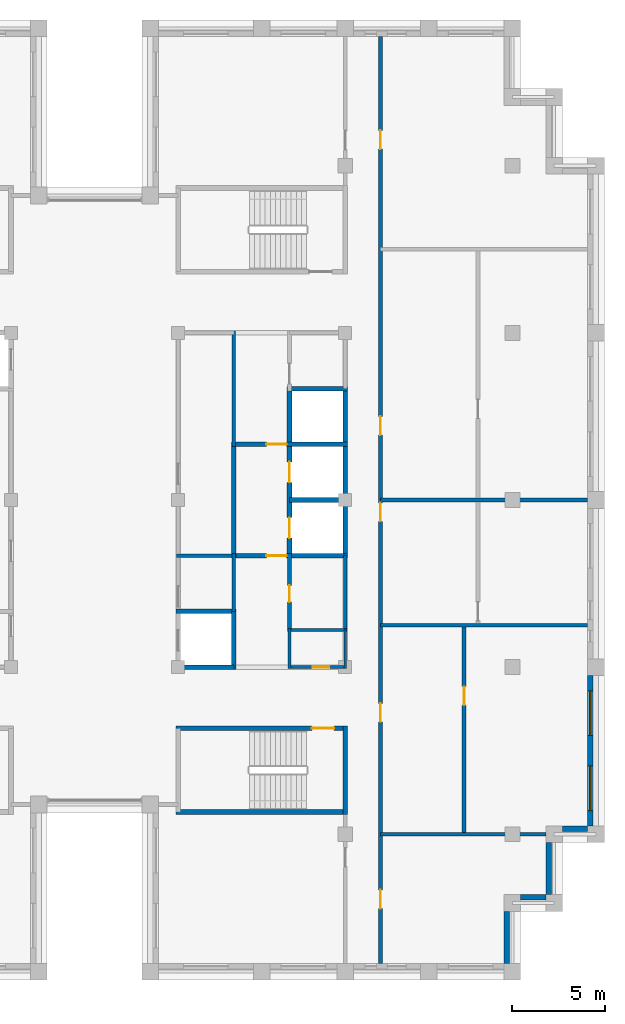
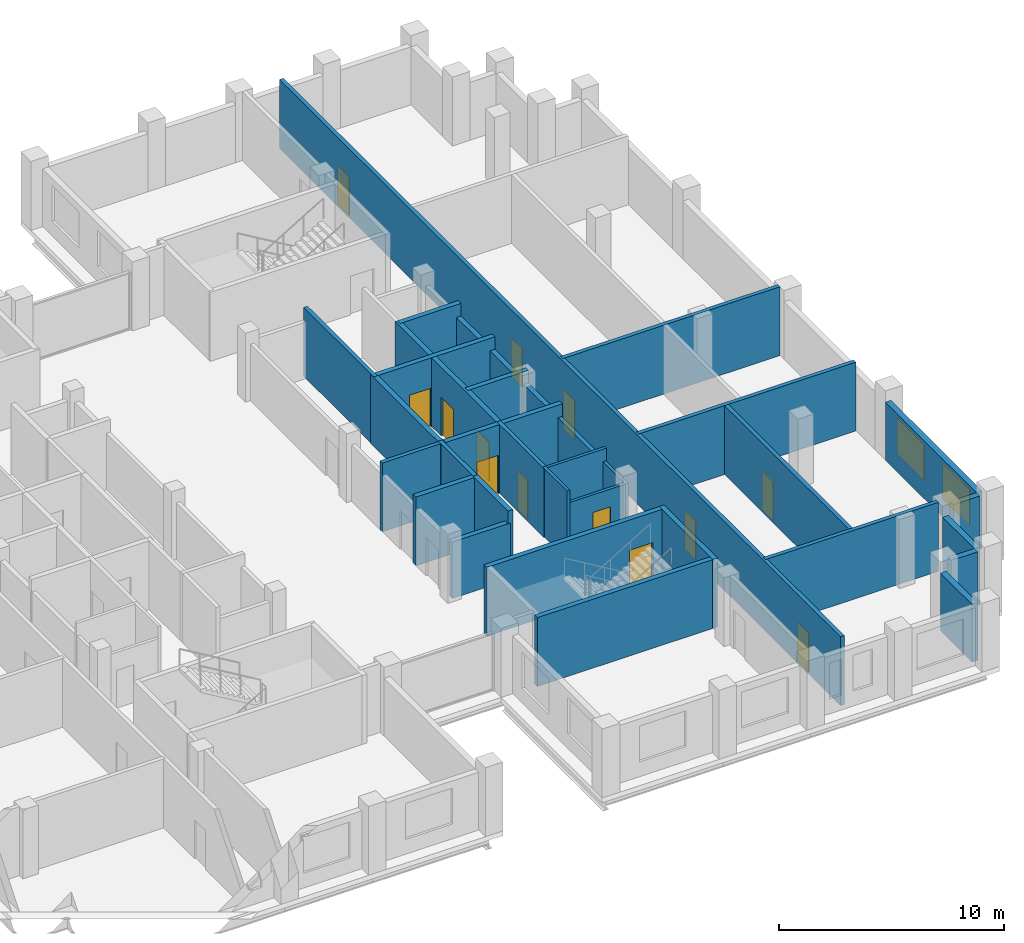
# One storey, part 8 of 13: 32 walls, 13 doors, 2 windows, 15 openings.
"""IFC4 building model written with IfcOpenShell, lengths in metres."""

from ifc_helpers import new_model, si_unit, direction, frame, frame_2d, origin, place, context, subcontext, project, spatial, rectangle, extrude, material, layer, layer_set, type_object, element, fill, save


model = new_model("IFC4")

# Units and contexts
model_context = context("Model", 3, precision=1e-05, world=origin(), true_north=direction((0.0, 1.0)))
body_context = subcontext(model_context, "Body", "Model", "MODEL_VIEW")
ifc_project = project(units=[si_unit("LENGTHUNIT", "METRE"), si_unit("AREAUNIT", "SQUARE_METRE"), si_unit("VOLUMEUNIT", "CUBIC_METRE"), si_unit("PLANEANGLEUNIT", "RADIAN"), si_unit("MASSUNIT", "GRAM", prefix="KILO")], contexts=[model_context])

# Site, building, storey
site_placement = place(None, origin())
site = spatial("IfcSite", under=ifc_project, at=site_placement, CompositionType="ELEMENT")
building_placement = place(site_placement, origin())
building = spatial("IfcBuilding", under=site, at=building_placement, Name="Corbelhall Arena Tower", CompositionType="ELEMENT")
storey_placement = place(building_placement, frame((0.0, 0.0, 334.0)))
storey = spatial("IfcBuildingStorey", under=building, at=storey_placement, Name="L73", CompositionType="ELEMENT", Elevation=334.0)

# Walls
ifc_material_1 = material(Name="Precast concrete C40/50 with granite facing", Category="masonry")
ifc_layer_1 = layer(ifc_material_1, 0.300048828125)
ifc_layer_set_1 = layer_set([ifc_layer_1], Name="EV-IW1 Infill panel 300")
wall_type_1 = type_object("IfcWallType", Name="EV-IW1 Infill panel 300", PredefinedType="SOLIDWALL", material=ifc_layer_set_1)
wall_1_placement = place(storey_placement, frame((22.199951171875, -24.949951171875, 0.0), z_axis=(0.0, 0.0, 1.0), x_axis=(0.0, 1.0, 0.0)))
element("IfcWall", 1, at=wall_1_placement, inside=storey, type_object=wall_type_1, Name="Infill panel IW1", PredefinedType="SOLIDWALL", context=body_context, shape_type="SweptSolid", body=[
    extrude(rectangle(XDim=2.800048828125, YDim=0.300048828125, at=frame_2d((1.39990234375, 0.0))), origin(), (0.0, 0.0, 1.0), 3.139892578125),
])
wall_2_placement = place(storey_placement, frame((22.949951171875, -21.39990234375, 0.0), z_axis=(0.0, 0.0, 1.0), x_axis=(1.0, 0.0, 0.0)))
element("IfcWall", 2, at=wall_2_placement, inside=storey, type_object=wall_type_1, Name="Infill panel IW1", PredefinedType="SOLIDWALL", context=body_context, shape_type="SweptSolid", body=[
    extrude(rectangle(XDim=1.35009765625, YDim=0.300048828125, at=frame_2d((0.675048828125, 0.0))), origin(), (0.0, 0.0, 1.0), 3.139892578125),
])
wall_3_placement = place(storey_placement, frame((24.449951171875, -21.25, 0.0), z_axis=(0.0, 0.0, 1.0), x_axis=(0.0, 1.0, 0.0)))
element("IfcWall", 3, at=wall_3_placement, inside=storey, type_object=wall_type_1, Name="Infill panel IW1", PredefinedType="SOLIDWALL", context=body_context, shape_type="SweptSolid", body=[
    extrude(rectangle(XDim=2.800048828125, YDim=0.300048828125, at=frame_2d((1.39990234375, 0.0))), origin(), (0.0, 0.0, 1.0), 3.139892578125),
])
wall_4_placement = place(storey_placement, frame((25.199951171875, -17.699951171875, 0.0), z_axis=(0.0, 0.0, 1.0), x_axis=(1.0, 0.0, 0.0)))
element("IfcWall", 4, at=wall_4_placement, inside=storey, type_object=wall_type_1, Name="Infill panel IW1", PredefinedType="SOLIDWALL", context=body_context, shape_type="SweptSolid", body=[
    extrude(rectangle(XDim=1.35009765625, YDim=0.300048828125, at=frame_2d((0.675048828125, 0.0))), origin(), (0.0, 0.0, 1.0), 3.139892578125),
])

# Wall, openings, windows
wall_5_placement = place(storey_placement, frame((26.699951171875, -17.550048828125, 0.0), z_axis=(0.0, 0.0, 1.0), x_axis=(0.0, 1.0, 0.0)))
wall_5 = element("IfcWall", 5, at=wall_5_placement, inside=storey, type_object=wall_type_1, Name="Infill panel IW1", PredefinedType="SOLIDWALL", context=body_context, shape_type="SweptSolid", body=[
    extrude(rectangle(XDim=8.10009765625, YDim=0.300048828125, at=frame_2d((4.050048828125, 0.0))), origin(), (0.0, 0.0, 1.0), 3.139892578125),
])
opening_1_placement = place(wall_5_placement, frame((0.824951171875, 0.0, 0.800048828125)))
opening_1 = element("IfcOpeningElement", 6, at=opening_1_placement, cuts=wall_5, Name="Opening WN1", PredefinedType="OPENING", context=body_context, shape_type="SweptSolid", body=[
    extrude(rectangle(XDim=2.39990234375, YDim=1.949951171875, at=frame_2d((1.199951171875, 0.97509765625))), frame((0.0, 0.14990234375, 0.0), z_axis=(0.0, -1.0, 0.0), x_axis=(1.0, 0.0, 0.0)), (0.0, 0.0, 1.0), 0.300048828125),
])
opening_2_placement = place(wall_5_placement, frame((4.875, 0.0, 0.800048828125)))
opening_2 = element("IfcOpeningElement", 7, at=opening_2_placement, cuts=wall_5, Name="Opening WN1", PredefinedType="OPENING", context=body_context, shape_type="SweptSolid", body=[
    extrude(rectangle(XDim=2.39990234375, YDim=1.949951171875, at=frame_2d((1.199951171875, 0.97509765625))), frame((0.0, 0.14990234375, 0.0), z_axis=(0.0, -1.0, 0.0), x_axis=(1.0, 0.0, 0.0)), (0.0, 0.0, 1.0), 0.300048828125),
])
ifc_material_2 = material(Name="Aluminium black anodised", Category="aluminium")
window_type = type_object("IfcWindowType", Name="EV-WN1 Office window", PartitioningType="SINGLE_PANEL", PredefinedType="WINDOW", material=ifc_material_2)
window_1_placement = place(opening_1_placement, origin())
window_1 = element("IfcWindow", 8, at=window_1_placement, inside=storey, type_object=window_type, Name="Window WN1", OverallHeight=1.949951171875, OverallWidth=2.39990234375, PartitioningType="SINGLE_PANEL", PredefinedType="WINDOW", context=body_context, shape_type="SweptSolid", body=[
    extrude(rectangle(XDim=2.39990234375, YDim=1.949951171875, at=frame_2d((1.199951171875, 0.97509765625))), frame((0.0, 0.030029296875, 0.0), z_axis=(0.0, -1.0, 0.0), x_axis=(1.0, 0.0, 0.0)), (0.0, 0.0, 1.0), 0.06005859375),
])
fill(opening_1, window_1)
window_2_placement = place(opening_2_placement, origin())
window_2 = element("IfcWindow", 9, at=window_2_placement, inside=storey, type_object=window_type, Name="Window WN1", OverallHeight=1.949951171875, OverallWidth=2.39990234375, PartitioningType="SINGLE_PANEL", PredefinedType="WINDOW", context=body_context, shape_type="SweptSolid", body=[
    extrude(rectangle(XDim=2.39990234375, YDim=1.949951171875, at=frame_2d((1.199951171875, 0.97509765625))), frame((0.0, 0.030029296875, 0.0), z_axis=(0.0, -1.0, 0.0), x_axis=(1.0, 0.0, 0.0)), (0.0, 0.0, 1.0), 0.06005859375),
])
fill(opening_2, window_2)

# Wall
ifc_material_3 = material(Name="Gypsum board on steel stud, acoustic", Category="steel")
ifc_layer_2 = layer(ifc_material_3, 0.199951171875)
ifc_layer_set_2 = layer_set([ifc_layer_2], Name="IN-W-DM200")
wall_type_2 = type_object("IfcWallType", Name="IN-W-DM200", PredefinedType="PARTITIONING", material=ifc_layer_set_2)
wall_6_placement = place(storey_placement, frame((15.39990234375, -18.0, 0.0), z_axis=(0.0, 0.0, 1.0), x_axis=(1.0, 0.0, 0.0)))
element("IfcWall", 10, at=wall_6_placement, inside=storey, type_object=wall_type_2, Name="Partition 020", PredefinedType="PARTITIONING", context=body_context, shape_type="SweptSolid", body=[
    extrude(rectangle(XDim=8.900146484375, YDim=0.199951171875, at=frame_2d((4.4501953125, 0.0))), origin(), (0.0, 0.0, 1.0), 3.739990234375),
])

# Wall, openings, doors
wall_7_placement = place(storey_placement, frame((15.39990234375, 24.949951171875, 0.0), z_axis=(0.0, 0.0, 1.0), x_axis=(0.0, -1.0, 0.0)))
wall_7 = element("IfcWall", 11, at=wall_7_placement, inside=storey, type_object=wall_type_2, Name="Partition 021", PredefinedType="PARTITIONING", context=body_context, shape_type="SweptSolid", body=[
    extrude(rectangle(XDim=49.89990234375, YDim=0.199951171875, at=frame_2d((24.949951171875, 0.0))), origin(), (0.0, 0.0, 1.0), 3.739990234375),
])
opening_3_placement = place(wall_7_placement, frame((20.449951171875, 0.0, 0.0)))
opening_3 = element("IfcOpeningElement", 12, at=opening_3_placement, cuts=wall_7, Name="Opening 23029", PredefinedType="OPENING", context=body_context, shape_type="SweptSolid", body=[
    extrude(rectangle(XDim=1.0, YDim=2.10009765625, at=frame_2d((0.5, 1.050048828125))), frame((0.0, 0.10009765625, 0.0), z_axis=(0.0, -1.0, 0.0), x_axis=(1.0, 0.0, 0.0)), (0.0, 0.0, 1.0), 0.199951171875),
])
opening_4_placement = place(wall_7_placement, frame((5.050048828125, 0.0, 0.0)))
opening_4 = element("IfcOpeningElement", 13, at=opening_4_placement, cuts=wall_7, Name="Opening 23031", PredefinedType="OPENING", context=body_context, shape_type="SweptSolid", body=[
    extrude(rectangle(XDim=1.0, YDim=2.10009765625, at=frame_2d((0.5, 1.050048828125))), frame((0.0, 0.10009765625, 0.0), z_axis=(0.0, -1.0, 0.0), x_axis=(1.0, 0.0, 0.0)), (0.0, 0.0, 1.0), 0.199951171875),
])
opening_5_placement = place(wall_7_placement, frame((45.949951171875, 0.0, 0.0)))
opening_5 = element("IfcOpeningElement", 14, at=opening_5_placement, cuts=wall_7, Name="Opening 23032", PredefinedType="OPENING", context=body_context, shape_type="SweptSolid", body=[
    extrude(rectangle(XDim=1.0, YDim=2.10009765625, at=frame_2d((0.5, 1.050048828125))), frame((0.0, 0.10009765625, 0.0), z_axis=(0.0, -1.0, 0.0), x_axis=(1.0, 0.0, 0.0)), (0.0, 0.0, 1.0), 0.199951171875),
])
opening_6_placement = place(wall_7_placement, frame((35.89990234375, 0.0, 0.0)))
opening_6 = element("IfcOpeningElement", 15, at=opening_6_placement, cuts=wall_7, Name="Opening 23033", PredefinedType="OPENING", context=body_context, shape_type="SweptSolid", body=[
    extrude(rectangle(XDim=1.0, YDim=2.10009765625, at=frame_2d((0.5, 1.050048828125))), frame((0.0, 0.10009765625, 0.0), z_axis=(0.0, -1.0, 0.0), x_axis=(1.0, 0.0, 0.0)), (0.0, 0.0, 1.0), 0.199951171875),
])
opening_7_placement = place(wall_7_placement, frame((25.10009765625, 0.0, 0.0)))
opening_7 = element("IfcOpeningElement", 16, at=opening_7_placement, cuts=wall_7, Name="Opening 23335", PredefinedType="OPENING", context=body_context, shape_type="SweptSolid", body=[
    extrude(rectangle(XDim=1.0, YDim=2.10009765625, at=frame_2d((0.5, 1.050048828125))), frame((0.0, 0.10009765625, 0.0), z_axis=(0.0, -1.0, 0.0), x_axis=(1.0, 0.0, 0.0)), (0.0, 0.0, 1.0), 0.199951171875),
])
ifc_material_4 = material(Name="Steel door set", Category="steel")
door_type_1 = type_object("IfcDoorType", Name="IN-D-SW100", OperationType="NOTDEFINED", PredefinedType="DOOR", material=ifc_material_4)
door_1_placement = place(opening_3_placement, origin())
door_1 = element("IfcDoor", 17, at=door_1_placement, inside=storey, type_object=door_type_1, Name="Door 029", OperationType="SINGLE_SWING_RIGHT", OverallHeight=2.10009765625, OverallWidth=1.0, PredefinedType="DOOR", context=body_context, shape_type="SweptSolid", body=[
    extrude(rectangle(XDim=1.0, YDim=2.10009765625, at=frame_2d((0.5, 1.050048828125))), frame((0.0, 0.02490234375, 0.0), z_axis=(0.0, -1.0, 0.0), x_axis=(1.0, 0.0, 0.0)), (0.0, 0.0, 1.0), 0.050048828125),
])
fill(opening_3, door_1)
door_2_placement = place(opening_4_placement, origin())
door_2 = element("IfcDoor", 18, at=door_2_placement, inside=storey, type_object=door_type_1, Name="Door 031", OperationType="SINGLE_SWING_RIGHT", OverallHeight=2.10009765625, OverallWidth=1.0, PredefinedType="DOOR", context=body_context, shape_type="SweptSolid", body=[
    extrude(rectangle(XDim=1.0, YDim=2.10009765625, at=frame_2d((0.5, 1.050048828125))), frame((0.0, 0.02490234375, 0.0), z_axis=(0.0, -1.0, 0.0), x_axis=(1.0, 0.0, 0.0)), (0.0, 0.0, 1.0), 0.050048828125),
])
fill(opening_4, door_2)
door_3_placement = place(opening_5_placement, origin())
door_3 = element("IfcDoor", 19, at=door_3_placement, inside=storey, type_object=door_type_1, Name="Door 032", OperationType="SINGLE_SWING_LEFT", OverallHeight=2.10009765625, OverallWidth=1.0, PredefinedType="DOOR", context=body_context, shape_type="SweptSolid", body=[
    extrude(rectangle(XDim=1.0, YDim=2.10009765625, at=frame_2d((0.5, 1.050048828125))), frame((0.0, 0.02490234375, 0.0), z_axis=(0.0, -1.0, 0.0), x_axis=(1.0, 0.0, 0.0)), (0.0, 0.0, 1.0), 0.050048828125),
])
fill(opening_5, door_3)
door_4_placement = place(opening_6_placement, origin())
door_4 = element("IfcDoor", 20, at=door_4_placement, inside=storey, type_object=door_type_1, Name="Door 033", OperationType="SINGLE_SWING_RIGHT", OverallHeight=2.10009765625, OverallWidth=1.0, PredefinedType="DOOR", context=body_context, shape_type="SweptSolid", body=[
    extrude(rectangle(XDim=1.0, YDim=2.10009765625, at=frame_2d((0.5, 1.050048828125))), frame((0.0, 0.02490234375, 0.0), z_axis=(0.0, -1.0, 0.0), x_axis=(1.0, 0.0, 0.0)), (0.0, 0.0, 1.0), 0.050048828125),
])
fill(opening_6, door_4)
door_5_placement = place(opening_7_placement, origin())
door_5 = element("IfcDoor", 21, at=door_5_placement, inside=storey, type_object=door_type_1, Name="Door 035", OperationType="SINGLE_SWING_RIGHT", OverallHeight=2.10009765625, OverallWidth=1.0, PredefinedType="DOOR", context=body_context, shape_type="SweptSolid", body=[
    extrude(rectangle(XDim=1.0, YDim=2.10009765625, at=frame_2d((0.5, 1.050048828125))), frame((0.0, 0.02490234375, 0.0), z_axis=(0.0, -1.0, 0.0), x_axis=(1.0, 0.0, 0.0)), (0.0, 0.0, 1.0), 0.050048828125),
])
fill(opening_7, door_5)

# Wall
wall_8_placement = place(storey_placement, frame((15.39990234375, -6.75, 0.0), z_axis=(0.0, 0.0, 1.0), x_axis=(1.0, 0.0, 0.0)))
element("IfcWall", 22, at=wall_8_placement, inside=storey, type_object=wall_type_2, Name="Partition 022", PredefinedType="PARTITIONING", context=body_context, shape_type="SweptSolid", body=[
    extrude(rectangle(XDim=11.150146484375, YDim=0.199951171875, at=frame_2d((5.5751953125, 0.0))), origin(), (0.0, 0.0, 1.0), 3.739990234375),
])

# Wall, opening, door
wall_9_placement = place(storey_placement, frame((19.89990234375, -6.64990234375, 0.0), z_axis=(0.0, 0.0, 1.0), x_axis=(0.0, -1.0, 0.0)))
wall_9 = element("IfcWall", 23, at=wall_9_placement, inside=storey, type_object=wall_type_2, Name="Partition 024", PredefinedType="PARTITIONING", context=body_context, shape_type="SweptSolid", body=[
    extrude(rectangle(XDim=11.35009765625, YDim=0.199951171875, at=frame_2d((5.675048828125, 0.0))), origin(), (0.0, 0.0, 1.0), 3.739990234375),
])
opening_8_placement = place(wall_9_placement, frame((3.39990234375, 0.0, 0.0)))
opening_8 = element("IfcOpeningElement", 24, at=opening_8_placement, cuts=wall_9, Name="Opening 23034", PredefinedType="OPENING", context=body_context, shape_type="SweptSolid", body=[
    extrude(rectangle(XDim=1.0, YDim=2.10009765625, at=frame_2d((0.5, 1.050048828125))), frame((0.0, 0.10009765625, 0.0), z_axis=(0.0, -1.0, 0.0), x_axis=(1.0, 0.0, 0.0)), (0.0, 0.0, 1.0), 0.199951171875),
])
door_6_placement = place(opening_8_placement, origin())
door_6 = element("IfcDoor", 25, at=door_6_placement, inside=storey, type_object=door_type_1, Name="Door 034", OperationType="SINGLE_SWING_LEFT", OverallHeight=2.10009765625, OverallWidth=1.0, PredefinedType="DOOR", context=body_context, shape_type="SweptSolid", body=[
    extrude(rectangle(XDim=1.0, YDim=2.10009765625, at=frame_2d((0.5, 1.050048828125))), frame((0.0, 0.02490234375, 0.0), z_axis=(0.0, -1.0, 0.0), x_axis=(1.0, 0.0, 0.0)), (0.0, 0.0, 1.0), 0.050048828125),
])
fill(opening_8, door_6)

# Walls
wall_10_placement = place(storey_placement, frame((26.550048828125, 0.0, 0.0), z_axis=(0.0, 0.0, 1.0), x_axis=(-1.0, 0.0, 0.0)))
element("IfcWall", 26, at=wall_10_placement, inside=storey, type_object=wall_type_2, Name="Partition 026", PredefinedType="PARTITIONING", context=body_context, shape_type="SweptSolid", body=[
    extrude(rectangle(XDim=11.150146484375, YDim=0.199951171875, at=frame_2d((5.5751953125, 0.0))), origin(), (0.0, 0.0, 1.0), 3.739990234375),
])
ifc_material_5 = material(Name="Concrete block wall", Category="concrete")
ifc_layer_3 = layer(ifc_material_5, 0.199951171875)
ifc_layer_set_3 = layer_set([ifc_layer_3], Name="IN-W-RS200")
wall_type_3 = type_object("IfcWallType", Name="IN-W-RS200", PredefinedType="SOLIDWALL", material=ifc_layer_set_3)
wall_11_placement = place(storey_placement, frame((4.39990234375, -3.0, 0.0), z_axis=(0.0, 0.0, 1.0), x_axis=(1.0, 0.0, 0.0)))
element("IfcWall", 27, at=wall_11_placement, inside=storey, type_object=wall_type_3, Name="Partition 037", PredefinedType="SOLIDWALL", context=body_context, shape_type="SweptSolid", body=[
    extrude(rectangle(XDim=3.22509765625, YDim=0.199951171875, at=frame_2d((1.612548828125, 0.0))), origin(), (0.0, 0.0, 1.0), 3.739990234375),
])
wall_12_placement = place(storey_placement, frame((7.5, -2.875, 0.0), z_axis=(0.0, 0.0, 1.0), x_axis=(0.0, -1.0, 0.0)))
element("IfcWall", 28, at=wall_12_placement, inside=storey, type_object=wall_type_3, Name="Partition 040", PredefinedType="SOLIDWALL", context=body_context, shape_type="SweptSolid", body=[
    extrude(rectangle(XDim=3.125, YDim=0.199951171875, at=frame_2d((1.5625, 0.0))), origin(), (0.0, 0.0, 1.0), 3.739990234375),
])
wall_13_placement = place(storey_placement, frame((7.5, 9.10009765625, 0.0), z_axis=(0.0, 0.0, 1.0), x_axis=(0.0, -1.0, 0.0)))
element("IfcWall", 29, at=wall_13_placement, inside=storey, type_object=wall_type_3, Name="Partition 041", PredefinedType="SOLIDWALL", context=body_context, shape_type="SweptSolid", body=[
    extrude(rectangle(XDim=6.22509765625, YDim=0.199951171875, at=frame_2d((3.112548828125, 0.0))), origin(), (0.0, 0.0, 1.0), 3.739990234375),
])

# Wall, opening, door
wall_14_placement = place(storey_placement, frame((10.5, -2.875, 0.0), z_axis=(0.0, 0.0, 1.0), x_axis=(0.0, -1.0, 0.0)))
wall_14 = element("IfcWall", 30, at=wall_14_placement, inside=storey, type_object=wall_type_3, Name="Partition 042", PredefinedType="SOLIDWALL", context=body_context, shape_type="SweptSolid", body=[
    extrude(rectangle(XDim=4.199951171875, YDim=0.199951171875, at=frame_2d((2.10009765625, 0.0))), origin(), (0.0, 0.0, 1.0), 3.739990234375),
])
opening_9_placement = place(wall_14_placement, frame((1.719970703125, 0.0, 0.0)))
opening_9 = element("IfcOpeningElement", 31, at=opening_9_placement, cuts=wall_14, Name="Opening 23037", PredefinedType="OPENING", context=body_context, shape_type="SweptSolid", body=[
    extrude(rectangle(XDim=0.89990234375, YDim=2.10009765625, at=frame_2d((0.449951171875, 1.050048828125))), frame((0.0, 0.10009765625, 0.0), z_axis=(0.0, -1.0, 0.0), x_axis=(1.0, 0.0, 0.0)), (0.0, 0.0, 1.0), 0.199951171875),
])
ifc_material_6 = material(Name="Timber door set", Category="wood")
door_type_2 = type_object("IfcDoorType", Name="IN-D-SW90", OperationType="NOTDEFINED", PredefinedType="DOOR", material=ifc_material_6)
door_7_placement = place(opening_9_placement, origin())
door_7 = element("IfcDoor", 32, at=door_7_placement, inside=storey, type_object=door_type_2, Name="Door 037", OperationType="SINGLE_SWING_LEFT", OverallHeight=2.10009765625, OverallWidth=0.89990234375, PredefinedType="DOOR", context=body_context, shape_type="SweptSolid", body=[
    extrude(rectangle(XDim=0.89990234375, YDim=2.10009765625, at=frame_2d((0.449951171875, 1.050048828125))), frame((0.0, 0.02490234375, 0.0), z_axis=(0.0, -1.0, 0.0), x_axis=(1.0, 0.0, 0.0)), (0.0, 0.0, 1.0), 0.050048828125),
])
fill(opening_9, door_7)

# Walls
ifc_layer_4 = layer(ifc_material_5, 0.199951171875)
ifc_layer_set_4 = layer_set([ifc_layer_4], Name="IN-W-RS200 under beam 678 mm")
wall_type_4 = type_object("IfcWallType", Name="IN-W-RS200 under beam 678 mm", PredefinedType="SOLIDWALL", material=ifc_layer_set_4)
wall_15_placement = place(storey_placement, frame((13.5, -3.0, 0.0), z_axis=(0.0, 0.0, 1.0), x_axis=(0.0, -1.0, 0.0)))
element("IfcWall", 33, at=wall_15_placement, inside=storey, type_object=wall_type_4, Name="Partition 045", PredefinedType="SOLIDWALL", context=body_context, shape_type="SweptSolid", body=[
    extrude(rectangle(XDim=4.0, YDim=0.199951171875, at=frame_2d((2.0, 0.0))), origin(), (0.0, 0.0, 1.0), 3.061767578125),
])
ifc_material_7 = material(Name="Concrete C40/50", Category="concrete")
ifc_layer_5 = layer(ifc_material_7, 0.25)
ifc_layer_set_5 = layer_set([ifc_layer_5], Name="IN-W-SH250")
wall_type_5 = type_object("IfcWallType", Name="IN-W-SH250", PredefinedType="SOLIDWALL", material=ifc_layer_set_5)
wall_16_placement = place(storey_placement, frame((4.375, -6.0, 0.0), z_axis=(0.0, 0.0, 1.0), x_axis=(1.0, 0.0, 0.0)))
element("IfcWall", 34, at=wall_16_placement, inside=storey, type_object=wall_type_5, Name="Shaft wall 057", PredefinedType="SOLIDWALL", context=body_context, shape_type="SweptSolid", body=[
    extrude(rectangle(XDim=3.25, YDim=0.25, at=frame_2d((1.625, 0.0))), origin(), (0.0, 0.0, 1.0), 3.739990234375),
])
wall_17_placement = place(storey_placement, frame((7.5, -6.0, 0.0), z_axis=(0.0, 0.0, 1.0), x_axis=(0.0, -1.0, 0.0)))
element("IfcWall", 35, at=wall_17_placement, inside=storey, type_object=wall_type_5, Name="Shaft wall 060", PredefinedType="SOLIDWALL", context=body_context, shape_type="SweptSolid", body=[
    extrude(rectangle(XDim=3.125, YDim=0.25, at=frame_2d((1.5625, 0.0))), origin(), (0.0, 0.0, 1.0), 3.739990234375),
])

# Wall, opening, door
wall_18_placement = place(storey_placement, frame((7.5, -3.0, 0.0), z_axis=(0.0, 0.0, 1.0), x_axis=(1.0, 0.0, 0.0)))
wall_18 = element("IfcWall", 36, at=wall_18_placement, inside=storey, type_object=wall_type_5, Name="Shaft wall 061", PredefinedType="SOLIDWALL", context=body_context, shape_type="SweptSolid", body=[
    extrude(rectangle(XDim=6.125, YDim=0.25, at=frame_2d((3.0625, 0.0))), origin(), (0.0, 0.0, 1.0), 3.739990234375),
])
opening_10_placement = place(wall_18_placement, frame((1.75, 0.0, 0.0)))
opening_10 = element("IfcOpeningElement", 37, at=opening_10_placement, cuts=wall_18, Name="Opening 23011", PredefinedType="OPENING", context=body_context, shape_type="SweptSolid", body=[
    extrude(rectangle(XDim=1.10009765625, YDim=2.10009765625, at=frame_2d((0.550048828125, 1.050048828125))), frame((0.0, 0.125, 0.0), z_axis=(0.0, -1.0, 0.0), x_axis=(1.0, 0.0, 0.0)), (0.0, 0.0, 1.0), 0.25),
])
door_type_3 = type_object("IfcDoorType", Name="IN-D-FD110", OperationType="NOTDEFINED", PredefinedType="DOOR", material=ifc_material_4)
door_8_placement = place(opening_10_placement, origin())
door_8 = element("IfcDoor", 38, at=door_8_placement, inside=storey, type_object=door_type_3, Name="Door 011", OperationType="SINGLE_SWING_RIGHT", OverallHeight=2.10009765625, OverallWidth=1.10009765625, PredefinedType="DOOR", context=body_context, shape_type="SweptSolid", body=[
    extrude(rectangle(XDim=1.10009765625, YDim=2.10009765625, at=frame_2d((0.550048828125, 1.050048828125))), frame((0.0, 0.02490234375, 0.0), z_axis=(0.0, -1.0, 0.0), x_axis=(1.0, 0.0, 0.0)), (0.0, 0.0, 1.0), 0.050048828125),
])
fill(opening_10, door_8)

wall_19_placement = place(storey_placement, frame((7.5, 3.0, 0.0), z_axis=(0.0, 0.0, 1.0), x_axis=(1.0, 0.0, 0.0)))
wall_19 = element("IfcWall", 39, at=wall_19_placement, inside=storey, type_object=wall_type_5, Name="Shaft wall 062", PredefinedType="SOLIDWALL", context=body_context, shape_type="SweptSolid", body=[
    extrude(rectangle(XDim=6.125, YDim=0.25, at=frame_2d((3.0625, 0.0))), origin(), (0.0, 0.0, 1.0), 3.739990234375),
])
opening_11_placement = place(wall_19_placement, frame((1.75, 0.0, 0.0)))
opening_11 = element("IfcOpeningElement", 40, at=opening_11_placement, cuts=wall_19, Name="Opening 23012", PredefinedType="OPENING", context=body_context, shape_type="SweptSolid", body=[
    extrude(rectangle(XDim=1.10009765625, YDim=2.10009765625, at=frame_2d((0.550048828125, 1.050048828125))), frame((0.0, 0.125, 0.0), z_axis=(0.0, -1.0, 0.0), x_axis=(1.0, 0.0, 0.0)), (0.0, 0.0, 1.0), 0.25),
])
door_9_placement = place(opening_11_placement, origin())
door_9 = element("IfcDoor", 41, at=door_9_placement, inside=storey, type_object=door_type_3, Name="Door 012", OperationType="SINGLE_SWING_LEFT", OverallHeight=2.10009765625, OverallWidth=1.10009765625, PredefinedType="DOOR", context=body_context, shape_type="SweptSolid", body=[
    extrude(rectangle(XDim=1.10009765625, YDim=2.10009765625, at=frame_2d((0.550048828125, 1.050048828125))), frame((0.0, 0.02490234375, 0.0), z_axis=(0.0, -1.0, 0.0), x_axis=(1.0, 0.0, 0.0)), (0.0, 0.0, 1.0), 0.050048828125),
])
fill(opening_11, door_9)

# Walls
wall_20_placement = place(storey_placement, frame((7.5, 3.125, 0.0), z_axis=(0.0, 0.0, 1.0), x_axis=(0.0, -1.0, 0.0)))
element("IfcWall", 42, at=wall_20_placement, inside=storey, type_object=wall_type_5, Name="Shaft wall 063", PredefinedType="SOLIDWALL", context=body_context, shape_type="SweptSolid", body=[
    extrude(rectangle(XDim=6.25, YDim=0.25, at=frame_2d((3.125, 0.0))), origin(), (0.0, 0.0, 1.0), 3.739990234375),
])
wall_21_placement = place(storey_placement, frame((10.5, 0.0, 0.0), z_axis=(0.0, 0.0, 1.0), x_axis=(1.0, 0.0, 0.0)))
element("IfcWall", 43, at=wall_21_placement, inside=storey, type_object=wall_type_5, Name="Shaft wall 064", PredefinedType="SOLIDWALL", context=body_context, shape_type="SweptSolid", body=[
    extrude(rectangle(XDim=3.125, YDim=0.25, at=frame_2d((1.5625, 0.0))), origin(), (0.0, 0.0, 1.0), 3.739990234375),
])

# Wall, openings, doors
wall_22_placement = place(storey_placement, frame((10.5, 6.125, 0.0), z_axis=(0.0, 0.0, 1.0), x_axis=(0.0, -1.0, 0.0)))
wall_22 = element("IfcWall", 44, at=wall_22_placement, inside=storey, type_object=wall_type_5, Name="Shaft wall 065", PredefinedType="SOLIDWALL", context=body_context, shape_type="SweptSolid", body=[
    extrude(rectangle(XDim=9.25, YDim=0.25, at=frame_2d((4.625, 0.0))), origin(), (0.0, 0.0, 1.0), 3.739990234375),
])
opening_12_placement = place(wall_22_placement, frame((7.074951171875, 0.0, 0.0)))
opening_12 = element("IfcOpeningElement", 45, at=opening_12_placement, cuts=wall_22, Name="Opening LD", PredefinedType="OPENING", context=body_context, shape_type="SweptSolid", body=[
    extrude(rectangle(XDim=1.10009765625, YDim=2.10009765625, at=frame_2d((0.550048828125, 1.050048828125))), frame((0.0, 0.125, 0.0), z_axis=(0.0, -1.0, 0.0), x_axis=(1.0, 0.0, 0.0)), (0.0, 0.0, 1.0), 0.25),
])
opening_13_placement = place(wall_22_placement, frame((4.074951171875, 0.0, 0.0)))
opening_13 = element("IfcOpeningElement", 46, at=opening_13_placement, cuts=wall_22, Name="Opening LD", PredefinedType="OPENING", context=body_context, shape_type="SweptSolid", body=[
    extrude(rectangle(XDim=1.10009765625, YDim=2.10009765625, at=frame_2d((0.550048828125, 1.050048828125))), frame((0.0, 0.125, 0.0), z_axis=(0.0, -1.0, 0.0), x_axis=(1.0, 0.0, 0.0)), (0.0, 0.0, 1.0), 0.25),
])
door_type_4 = type_object("IfcDoorType", Name="IN-D-LD110", OperationType="NOTDEFINED", PredefinedType="DOOR", material=ifc_material_4)
door_10_placement = place(opening_12_placement, origin())
door_10 = element("IfcDoor", 47, at=door_10_placement, inside=storey, type_object=door_type_4, Name="Landing door E3", OperationType="SLIDING_TO_LEFT", OverallHeight=2.10009765625, OverallWidth=1.10009765625, PredefinedType="DOOR", context=body_context, shape_type="SweptSolid", body=[
    extrude(rectangle(XDim=1.10009765625, YDim=2.10009765625, at=frame_2d((0.550048828125, 1.050048828125))), frame((0.0, 0.02490234375, 0.0), z_axis=(0.0, -1.0, 0.0), x_axis=(1.0, 0.0, 0.0)), (0.0, 0.0, 1.0), 0.050048828125),
])
fill(opening_12, door_10)
door_11_placement = place(opening_13_placement, origin())
door_11 = element("IfcDoor", 48, at=door_11_placement, inside=storey, type_object=door_type_4, Name="Landing door E4", OperationType="SLIDING_TO_LEFT", OverallHeight=2.10009765625, OverallWidth=1.10009765625, PredefinedType="DOOR", context=body_context, shape_type="SweptSolid", body=[
    extrude(rectangle(XDim=1.10009765625, YDim=2.10009765625, at=frame_2d((0.550048828125, 1.050048828125))), frame((0.0, 0.02490234375, 0.0), z_axis=(0.0, -1.0, 0.0), x_axis=(1.0, 0.0, 0.0)), (0.0, 0.0, 1.0), 0.050048828125),
])
fill(opening_13, door_11)

# Walls
wall_23_placement = place(storey_placement, frame((10.5, 6.0, 0.0), z_axis=(0.0, 0.0, 1.0), x_axis=(1.0, 0.0, 0.0)))
element("IfcWall", 49, at=wall_23_placement, inside=storey, type_object=wall_type_5, Name="Shaft wall 066", PredefinedType="SOLIDWALL", context=body_context, shape_type="SweptSolid", body=[
    extrude(rectangle(XDim=3.125, YDim=0.25, at=frame_2d((1.5625, 0.0))), origin(), (0.0, 0.0, 1.0), 3.739990234375),
])
ifc_layer_6 = layer(ifc_material_7, 0.25)
ifc_layer_set_6 = layer_set([ifc_layer_6], Name="IN-W-SH250 under beam 678 mm")
wall_type_6 = type_object("IfcWallType", Name="IN-W-SH250 under beam 678 mm", PredefinedType="SOLIDWALL", material=ifc_layer_set_6)
wall_24_placement = place(storey_placement, frame((7.5, -9.0, 0.0), z_axis=(0.0, 0.0, 1.0), x_axis=(-1.0, 0.0, 0.0)))
element("IfcWall", 50, at=wall_24_placement, inside=storey, type_object=wall_type_6, Name="Shaft wall 059", PredefinedType="SOLIDWALL", context=body_context, shape_type="SweptSolid", body=[
    extrude(rectangle(XDim=3.0, YDim=0.25, at=frame_2d((1.5, 0.0))), origin(), (0.0, 0.0, 1.0), 3.061767578125),
])
wall_25_placement = place(storey_placement, frame((13.5, 6.0, 0.0), z_axis=(0.0, 0.0, 1.0), x_axis=(0.0, -1.0, 0.0)))
element("IfcWall", 51, at=wall_25_placement, inside=storey, type_object=wall_type_6, Name="Shaft wall 067", PredefinedType="SOLIDWALL", context=body_context, shape_type="SweptSolid", body=[
    extrude(rectangle(XDim=9.0, YDim=0.25, at=frame_2d((4.5, 0.0))), origin(), (0.0, 0.0, 1.0), 3.061767578125),
])
ifc_layer_7 = layer(ifc_material_7, 0.25)
ifc_layer_set_7 = layer_set([ifc_layer_7], Name="IN-W-ST250")
wall_type_7 = type_object("IfcWallType", Name="IN-W-ST250", PredefinedType="SOLIDWALL", material=ifc_layer_set_7)
wall_26_placement = place(storey_placement, frame((13.5, -16.925048828125, 0.0), z_axis=(0.0, 0.0, 1.0), x_axis=(0.0, 1.0, 0.0)))
element("IfcWall", 52, at=wall_26_placement, inside=storey, type_object=wall_type_7, Name="Shaft wall 080", PredefinedType="SOLIDWALL", context=body_context, shape_type="SweptSolid", body=[
    extrude(rectangle(XDim=4.75, YDim=0.25, at=frame_2d((2.375, 0.0))), origin(), (0.0, 0.0, 1.0), 3.739990234375),
])
wall_27_placement = place(storey_placement, frame((13.5, -16.800048828125, 0.0), z_axis=(0.0, 0.0, 1.0), x_axis=(-1.0, 0.0, 0.0)))
element("IfcWall", 53, at=wall_27_placement, inside=storey, type_object=wall_type_7, Name="Shaft wall 081", PredefinedType="SOLIDWALL", context=body_context, shape_type="SweptSolid", body=[
    extrude(rectangle(XDim=9.125, YDim=0.25, at=frame_2d((4.5625, 0.0))), origin(), (0.0, 0.0, 1.0), 3.739990234375),
])

# Wall, opening, door
wall_28_placement = place(storey_placement, frame((13.5, -12.300048828125, 0.0), z_axis=(0.0, 0.0, 1.0), x_axis=(-1.0, 0.0, 0.0)))
wall_28 = element("IfcWall", 54, at=wall_28_placement, inside=storey, type_object=wall_type_7, Name="Shaft wall 082", PredefinedType="SOLIDWALL", context=body_context, shape_type="SweptSolid", body=[
    extrude(rectangle(XDim=9.125, YDim=0.25, at=frame_2d((4.5625, 0.0))), origin(), (0.0, 0.0, 1.0), 3.739990234375),
])
opening_14_placement = place(wall_28_placement, frame((0.60009765625, 0.0, 0.0)))
opening_14 = element("IfcOpeningElement", 55, at=opening_14_placement, cuts=wall_28, Name="Opening 23018", PredefinedType="OPENING", context=body_context, shape_type="SweptSolid", body=[
    extrude(rectangle(XDim=1.199951171875, YDim=2.10009765625, at=frame_2d((0.60009765625, 1.050048828125))), frame((0.0, 0.125, 0.0), z_axis=(0.0, -1.0, 0.0), x_axis=(1.0, 0.0, 0.0)), (0.0, 0.0, 1.0), 0.25),
])
door_type_5 = type_object("IfcDoorType", Name="IN-D-ST120", OperationType="NOTDEFINED", PredefinedType="DOOR", material=ifc_material_4)
door_12_placement = place(opening_14_placement, origin())
door_12 = element("IfcDoor", 56, at=door_12_placement, inside=storey, type_object=door_type_5, Name="Door 018", OperationType="SINGLE_SWING_LEFT", OverallHeight=2.10009765625, OverallWidth=1.199951171875, PredefinedType="DOOR", context=body_context, shape_type="SweptSolid", body=[
    extrude(rectangle(XDim=1.199951171875, YDim=2.10009765625, at=frame_2d((0.60009765625, 1.050048828125))), frame((0.0, 0.02490234375, 0.0), z_axis=(0.0, -1.0, 0.0), x_axis=(1.0, 0.0, 0.0)), (0.0, 0.0, 1.0), 0.050048828125),
])
fill(opening_14, door_12)

# Walls
ifc_material_8 = material(Name="Gypsum board on steel stud, moisture resistant", Category="steel")
ifc_layer_8 = layer(ifc_material_8, 0.14990234375)
ifc_layer_set_8 = layer_set([ifc_layer_8], Name="IN-W-WC150")
wall_type_8 = type_object("IfcWallType", Name="IN-W-WC150", PredefinedType="PARTITIONING", material=ifc_layer_set_8)
wall_29_placement = place(storey_placement, frame((10.5, -7.0, 0.0), z_axis=(0.0, 0.0, 1.0), x_axis=(1.0, 0.0, 0.0)))
element("IfcWall", 57, at=wall_29_placement, inside=storey, type_object=wall_type_8, Name="Partition 091", PredefinedType="PARTITIONING", context=body_context, shape_type="SweptSolid", body=[
    extrude(rectangle(XDim=3.10009765625, YDim=0.14990234375, at=frame_2d((1.550048828125, 0.0))), origin(), (0.0, 0.0, 1.0), 3.739990234375),
])
wall_30_placement = place(storey_placement, frame((10.5, -6.925048828125, 0.0), z_axis=(0.0, 0.0, 1.0), x_axis=(0.0, -1.0, 0.0)))
element("IfcWall", 58, at=wall_30_placement, inside=storey, type_object=wall_type_8, Name="Partition 092", PredefinedType="PARTITIONING", context=body_context, shape_type="SweptSolid", body=[
    extrude(rectangle(XDim=2.14990234375, YDim=0.14990234375, at=frame_2d((1.074951171875, 0.0))), origin(), (0.0, 0.0, 1.0), 3.739990234375),
])

# Wall, opening, door
ifc_layer_9 = layer(ifc_material_8, 0.14990234375)
ifc_layer_set_9 = layer_set([ifc_layer_9], Name="IN-W-WC150 under beam 678 mm")
wall_type_9 = type_object("IfcWallType", Name="IN-W-WC150 under beam 678 mm", PredefinedType="PARTITIONING", material=ifc_layer_set_9)
wall_31_placement = place(storey_placement, frame((13.5, -9.0, 0.0), z_axis=(0.0, 0.0, 1.0), x_axis=(-1.0, 0.0, 0.0)))
wall_31 = element("IfcWall", 59, at=wall_31_placement, inside=storey, type_object=wall_type_9, Name="Partition 093", PredefinedType="PARTITIONING", context=body_context, shape_type="SweptSolid", body=[
    extrude(rectangle(XDim=3.0, YDim=0.14990234375, at=frame_2d((1.5, 0.0))), origin(), (0.0, 0.0, 1.0), 3.061767578125),
])
opening_15_placement = place(wall_31_placement, frame((0.85009765625, 0.0, 0.0)))
opening_15 = element("IfcOpeningElement", 60, at=opening_15_placement, cuts=wall_31, Name="Opening 23013", PredefinedType="OPENING", context=body_context, shape_type="SweptSolid", body=[
    extrude(rectangle(XDim=0.89990234375, YDim=2.10009765625, at=frame_2d((0.449951171875, 1.050048828125))), frame((0.0, 0.074951171875, 0.0), z_axis=(0.0, -1.0, 0.0), x_axis=(1.0, 0.0, 0.0)), (0.0, 0.0, 1.0), 0.14990234375),
])
door_13_placement = place(opening_15_placement, origin())
door_13 = element("IfcDoor", 61, at=door_13_placement, inside=storey, type_object=door_type_2, Name="Door 013", OperationType="SINGLE_SWING_RIGHT", OverallHeight=2.10009765625, OverallWidth=0.89990234375, PredefinedType="DOOR", context=body_context, shape_type="SweptSolid", body=[
    extrude(rectangle(XDim=0.89990234375, YDim=2.10009765625, at=frame_2d((0.449951171875, 1.050048828125))), frame((0.0, 0.02490234375, 0.0), z_axis=(0.0, -1.0, 0.0), x_axis=(1.0, 0.0, 0.0)), (0.0, 0.0, 1.0), 0.050048828125),
])
fill(opening_15, door_13)

# Wall
wall_32_placement = place(storey_placement, frame((13.5, -7.0, 0.0), z_axis=(0.0, 0.0, 1.0), x_axis=(0.0, -1.0, 0.0)))
element("IfcWall", 62, at=wall_32_placement, inside=storey, type_object=wall_type_9, Name="Partition 094", PredefinedType="PARTITIONING", context=body_context, shape_type="SweptSolid", body=[
    extrude(rectangle(XDim=2.074951171875, YDim=0.14990234375, at=frame_2d((1.03759765625, 0.0))), origin(), (0.0, 0.0, 1.0), 3.061767578125),
])

save(model, "model.ifc")
